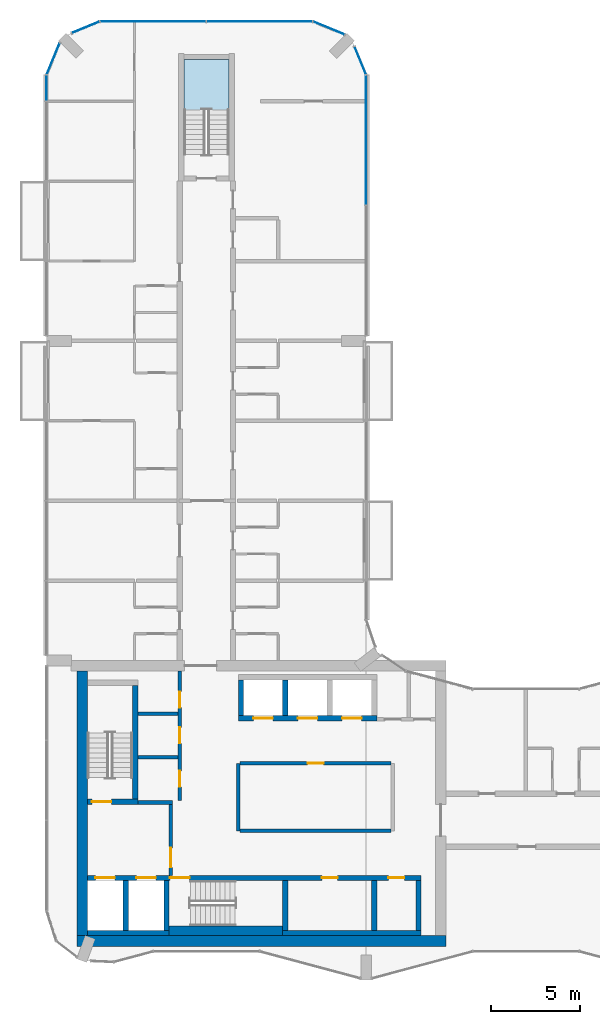
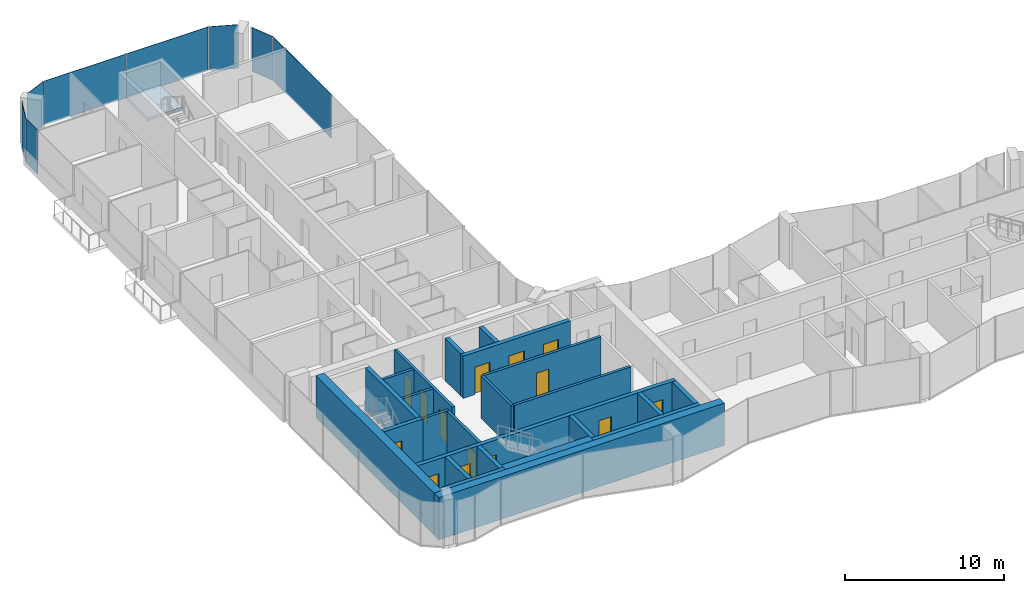
# One storey, part 9 of 15: 24 walls, 14 doors, 8 plates, 1 slab, 14 openings, 8 elements without a shape of their own.
"""IFC4 building model written with IfcOpenShell, lengths in metres."""

from ifc_helpers import new_model, si_unit, direction, frame, frame_2d, origin, origin_2d, place, context, subcontext, project, spatial, polyline, rectangle, outline, extrude, material, layer, layer_set, type_object, element, fill, aggregate, save


model = new_model("IFC4")

# Units and contexts
model_context = context("Model", 3, precision=1e-05, world=origin(), true_north=direction((0.0, 1.0)))
body_context = subcontext(model_context, "Body", "Model", "MODEL_VIEW")
ifc_project = project(units=[si_unit("LENGTHUNIT", "METRE"), si_unit("AREAUNIT", "SQUARE_METRE"), si_unit("VOLUMEUNIT", "CUBIC_METRE"), si_unit("PLANEANGLEUNIT", "RADIAN"), si_unit("MASSUNIT", "GRAM", prefix="KILO")], contexts=[model_context])

# Site, building, storey
site_placement = place(None, origin())
site = spatial("IfcSite", under=ifc_project, at=site_placement, CompositionType="ELEMENT")
building_placement = place(site_placement, origin())
building = spatial("IfcBuilding", under=site, at=building_placement, Name="Plateau Cross Towers", CompositionType="ELEMENT")
storey_placement = place(building_placement, frame((0.0, 0.0, 174.39990234375)))
storey = spatial("IfcBuildingStorey", under=building, at=storey_placement, Name="L45", CompositionType="ELEMENT", Elevation=174.39990234375)

# Curtain wall, plate
ifc_material_1 = material(Name="Dark low-iron glass", Category="glass")
ifc_layer_1 = layer(ifc_material_1, 0.239990234375)
ifc_layer_set_1 = layer_set([ifc_layer_1], Name="Dark low-iron glass")
curtain_wall_type = type_object("IfcCurtainWallType", Name="Curtain wall flush unitised CW-B", PredefinedType="NOTDEFINED", material=ifc_layer_set_1)
curtain_wall_1_placement = place(storey_placement, origin())
curtain_wall_1 = element("IfcCurtainWall", 1, at=curtain_wall_1_placement, inside=storey, type_object=curtain_wall_type, Name="ENV/A/L45/A180_363", PredefinedType="NOTDEFINED")
ifc_layer_2 = layer(ifc_material_1, 0.031982421875)
ifc_layer_set_2 = layer_set([ifc_layer_2], Name="Dark low-iron glass")
plate_type = type_object("IfcPlateType", Name="Glass panel 32 flush unitised", PredefinedType="CURTAIN_PANEL", material=ifc_layer_set_2)
plate_1_placement = place(storey_placement, frame((18.0, 47.324951171875, -0.1298828125), z_axis=(0.0, 0.0, 1.0), x_axis=(0.0, 1.0, 0.0)))
plate_1 = element("IfcPlate", 2, at=plate_1_placement, type_object=plate_type, Name="CW-B panel 2", PredefinedType="CURTAIN_PANEL", context=body_context, shape_type="SweptSolid", body=[
    extrude(rectangle(XDim=7.2900390625, YDim=0.031982421875, at=origin_2d()), origin(), (0.0, 0.0, 1.0), 3.3798828125),
])
aggregate(curtain_wall_1, [plate_1])

curtain_wall_2_placement = place(storey_placement, origin())
curtain_wall_2 = element("IfcCurtainWall", 3, at=curtain_wall_2_placement, inside=storey, type_object=curtain_wall_type, Name="ENV/A/L45/A180_510", PredefinedType="NOTDEFINED")
plate_2_placement = place(storey_placement, frame((17.66943359375, 51.79833984375, -0.1298828125), z_axis=(0.0, 0.0, 1.0), x_axis=(-0.382683612978, 0.923879457699, 0.0)))
plate_2 = element("IfcPlate", 4, at=plate_2_placement, type_object=plate_type, Name="CW-B panel 1", PredefinedType="CURTAIN_PANEL", context=body_context, shape_type="SweptSolid", body=[
    extrude(rectangle(XDim=1.668212890625, YDim=0.031982421875, at=origin_2d()), origin(), (0.0, 0.0, 1.0), 3.3798828125),
])
aggregate(curtain_wall_2, [plate_2])

curtain_wall_3_placement = place(storey_placement, origin())
curtain_wall_3 = element("IfcCurtainWall", 5, at=curtain_wall_3_placement, inside=storey, type_object=curtain_wall_type, Name="ENV/A/L45/A168_533", PredefinedType="NOTDEFINED")
plate_3_placement = place(storey_placement, frame((15.90283203125, 53.6259765625, -0.1298828125), z_axis=(0.0, 0.0, 1.0), x_axis=(-0.923879457699, 0.382683612978, 0.0)))
plate_3 = element("IfcPlate", 6, at=plate_3_placement, type_object=plate_type, Name="CW-B panel 1", PredefinedType="CURTAIN_PANEL", context=body_context, shape_type="SweptSolid", body=[
    extrude(rectangle(XDim=1.894775390625, YDim=0.031982421875, at=origin_2d()), origin(), (0.0, 0.0, 1.0), 3.3798828125),
])
aggregate(curtain_wall_3, [plate_3])

# Curtain wall, plates
curtain_wall_4_placement = place(storey_placement, origin())
curtain_wall_4 = element("IfcCurtainWall", 7, at=curtain_wall_4_placement, inside=storey, type_object=curtain_wall_type, Name="ENV/A/L45/A150_540", PredefinedType="NOTDEFINED")
plate_4_placement = place(storey_placement, frame((12.0, 54.0, -0.1298828125), z_axis=(0.0, 0.0, 1.0), x_axis=(-1.0, 0.0, 0.0)))
plate_4 = element("IfcPlate", 8, at=plate_4_placement, type_object=plate_type, Name="CW-B panel 1", PredefinedType="CURTAIN_PANEL", context=body_context, shape_type="SweptSolid", body=[
    extrude(rectangle(XDim=5.93994140625, YDim=0.031982421875, at=origin_2d()), origin(), (0.0, 0.0, 1.0), 3.3798828125),
])
plate_5_placement = place(storey_placement, frame((6.0, 54.0, -0.1298828125), z_axis=(0.0, 0.0, 1.0), x_axis=(-1.0, 0.0, 0.0)))
plate_5 = element("IfcPlate", 9, at=plate_5_placement, type_object=plate_type, Name="CW-B panel 2", PredefinedType="CURTAIN_PANEL", context=body_context, shape_type="SweptSolid", body=[
    extrude(rectangle(XDim=5.93994140625, YDim=0.031982421875, at=origin_2d()), origin(), (0.0, 0.0, 1.0), 3.3798828125),
])
aggregate(curtain_wall_4, [plate_4, plate_5])

# Curtain wall, plate
curtain_wall_5_placement = place(storey_placement, origin())
curtain_wall_5 = element("IfcCurtainWall", 10, at=curtain_wall_5_placement, inside=storey, type_object=curtain_wall_type, Name="ENV/A/L45/A30_540", PredefinedType="NOTDEFINED")
plate_6_placement = place(storey_placement, frame((2.20166015625, 53.66943359375, -0.1298828125), z_axis=(0.0, 0.0, 1.0), x_axis=(-0.923879457699, -0.382683612978, 0.0)))
plate_6 = element("IfcPlate", 11, at=plate_6_placement, type_object=plate_type, Name="CW-B panel 1", PredefinedType="CURTAIN_PANEL", context=body_context, shape_type="SweptSolid", body=[
    extrude(rectangle(XDim=1.668212890625, YDim=0.031982421875, at=origin_2d()), origin(), (0.0, 0.0, 1.0), 3.3798828125),
])
aggregate(curtain_wall_5, [plate_6])

curtain_wall_6_placement = place(storey_placement, origin())
curtain_wall_6 = element("IfcCurtainWall", 12, at=curtain_wall_6_placement, inside=storey, type_object=curtain_wall_type, Name="ENV/A/L45/A7_528", PredefinedType="NOTDEFINED")
plate_7_placement = place(storey_placement, frame((0.3740234375, 51.90283203125, -0.1298828125), z_axis=(0.0, 0.0, 1.0), x_axis=(-0.382683612978, -0.923879457699, 0.0)))
plate_7 = element("IfcPlate", 13, at=plate_7_placement, type_object=plate_type, Name="CW-B panel 1", PredefinedType="CURTAIN_PANEL", context=body_context, shape_type="SweptSolid", body=[
    extrude(rectangle(XDim=1.894775390625, YDim=0.031982421875, at=origin_2d()), origin(), (0.0, 0.0, 1.0), 3.3798828125),
])
aggregate(curtain_wall_6, [plate_7])

curtain_wall_7_placement = place(storey_placement, origin())
curtain_wall_7 = element("IfcCurtainWall", 14, at=curtain_wall_7_placement, inside=storey, type_object=curtain_wall_type, Name="ENV/A/L45/A0_510", PredefinedType="NOTDEFINED")
plate_8_placement = place(storey_placement, frame((0.0, 50.25, -0.1298828125), z_axis=(0.0, 0.0, 1.0), x_axis=(0.0, -1.0, 0.0)))
plate_8 = element("IfcPlate", 15, at=plate_8_placement, type_object=plate_type, Name="CW-B panel 1", PredefinedType="CURTAIN_PANEL", context=body_context, shape_type="SweptSolid", body=[
    extrude(rectangle(XDim=1.43994140625, YDim=0.031982421875, at=origin_2d()), origin(), (0.0, 0.0, 1.0), 3.3798828125),
])
aggregate(curtain_wall_7, [plate_8])

# Stair, slab
ifc_material_2 = material(Name="Concrete C40/50", Category="concrete")
stair_type = type_object("IfcStairType", Name="ST-TWR", PredefinedType="HALF_TURN_STAIR", material=ifc_material_2)
stair_placement = place(storey_placement, origin())
stair = element("IfcStair", 16, at=stair_placement, inside=storey, type_object=stair_type, Name="L45 Protected Exit Stair N", PredefinedType="HALF_TURN_STAIR")
ifc_layer_3 = layer(ifc_material_2, 0.199951171875)
ifc_layer_set_3 = layer_set([ifc_layer_3], Name="Concrete C40/50")
slab_type = type_object("IfcSlabType", Name="SL-LANDING", PredefinedType="LANDING", material=ifc_layer_set_3)
slab_placement = place(storey_placement, frame((0.0, 0.0, 1.550048828125)))
slab = element("IfcSlab", 17, at=slab_placement, type_object=slab_type, Name="ES-N landing 1", PredefinedType="LANDING", context=body_context, shape_type="SweptSolid", body=[
    extrude(outline(polyline([(10.27490234375, 49.02001953125), (10.27490234375, 51.85009765625), (7.72509765625, 51.85009765625), (7.72509765625, 49.02001953125), (10.27490234375, 49.02001953125)])), origin(), (0.0, 0.0, 1.0), 0.199951171875),
])
aggregate(stair, [slab])

# Wall, opening, door
ifc_material_3 = material(Name="Concrete block, plastered both sides", Category="concrete")
ifc_layer_4 = layer(ifc_material_3, 0.199951171875)
ifc_layer_set_4 = layer_set([ifc_layer_4], Name="Concrete block, plastered both sides")
wall_type_1 = type_object("IfcWallType", Name="Core partition 200", PredefinedType="PARTITIONING", material=ifc_layer_set_4)
wall_1_placement = place(storey_placement, frame((7.0, 5.89990234375, 0.0), z_axis=(0.0, 0.0, 1.0), x_axis=(0.0, 1.0, 0.0)))
wall_1 = element("IfcWall", 18, at=wall_1_placement, inside=storey, type_object=wall_type_1, Name="Core partition", PredefinedType="PARTITIONING", context=body_context, shape_type="SweptSolid", body=[
    extrude(rectangle(XDim=4.0, YDim=0.199951171875, at=frame_2d((2.0, 0.0))), origin(), (0.0, 0.0, 1.0), 3.25),
])
opening_1_placement = place(wall_1_placement, frame((0.449951171875, 0.0, 0.0)))
opening_1 = element("IfcOpeningElement", 19, at=opening_1_placement, cuts=wall_1, Name="Opening FFD", PredefinedType="OPENING", context=body_context, shape_type="SweptSolid", body=[
    extrude(rectangle(XDim=1.10009765625, YDim=2.10009765625, at=frame_2d((0.550048828125, 1.050048828125))), frame((0.0, 0.10986328125, 0.0), z_axis=(0.0, -1.0, 0.0), x_axis=(1.0, 0.0, 0.0)), (0.0, 0.0, 1.0), 0.219970703125),
])
ifc_material_4 = material(Name="Steel, fire-resisting leaf", Category="steel")
door_type_1 = type_object("IfcDoorType", Name="Firefighting lobby door 1100", OperationType="NOTDEFINED", PredefinedType="DOOR", material=ifc_material_4)
door_1_placement = place(opening_1_placement, origin())
door_1 = element("IfcDoor", 20, at=door_1_placement, inside=storey, type_object=door_type_1, Name="Firefighting lobby door FFD", OperationType="SINGLE_SWING_LEFT", OverallHeight=2.10009765625, OverallWidth=1.10009765625, PredefinedType="DOOR", context=body_context, shape_type="SweptSolid", body=[
    extrude(rectangle(XDim=1.10009765625, YDim=2.10009765625, at=frame_2d((0.550048828125, 1.050048828125))), frame((0.0, 0.02490234375, 0.0), z_axis=(0.0, -1.0, 0.0), x_axis=(1.0, 0.0, 0.0)), (0.0, 0.0, 1.0), 0.050048828125),
])
fill(opening_1, door_1)

# Walls
wall_2_placement = place(storey_placement, frame((5.14990234375, 10.0, 0.0), z_axis=(0.0, 0.0, 1.0), x_axis=(1.0, 0.0, 0.0)))
element("IfcWall", 21, at=wall_2_placement, inside=storey, type_object=wall_type_1, Name="Core partition", PredefinedType="PARTITIONING", context=body_context, shape_type="SweptSolid", body=[
    extrude(rectangle(XDim=1.9501953125, YDim=0.199951171875, at=frame_2d((0.97509765625, 0.0))), origin(), (0.0, 0.0, 1.0), 3.25),
])
wall_3_placement = place(storey_placement, frame((10.800048828125, 8.39990234375, 0.0), z_axis=(0.0, 0.0, 1.0), x_axis=(0.0, 1.0, 0.0)))
element("IfcWall", 22, at=wall_3_placement, inside=storey, type_object=wall_type_1, Name="Core partition", PredefinedType="PARTITIONING", context=body_context, shape_type="SweptSolid", body=[
    extrude(rectangle(XDim=3.800048828125, YDim=0.199951171875, at=frame_2d((1.89990234375, 0.0))), origin(), (0.0, 0.0, 1.0), 3.25),
])
wall_4_placement = place(storey_placement, frame((10.89990234375, 8.39990234375, 0.0), z_axis=(0.0, 0.0, 1.0), x_axis=(1.0, 0.0, 0.0)))
element("IfcWall", 23, at=wall_4_placement, inside=storey, type_object=wall_type_1, Name="Core partition", PredefinedType="PARTITIONING", context=body_context, shape_type="SweptSolid", body=[
    extrude(rectangle(XDim=8.5, YDim=0.199951171875, at=frame_2d((4.25, 0.0))), origin(), (0.0, 0.0, 1.0), 3.25),
])

# Wall, opening, door
wall_5_placement = place(storey_placement, frame((10.89990234375, 12.199951171875, 0.0), z_axis=(0.0, 0.0, 1.0), x_axis=(1.0, 0.0, 0.0)))
wall_5 = element("IfcWall", 24, at=wall_5_placement, inside=storey, type_object=wall_type_1, Name="Core partition", PredefinedType="PARTITIONING", context=body_context, shape_type="SweptSolid", body=[
    extrude(rectangle(XDim=8.5, YDim=0.199951171875, at=frame_2d((4.25, 0.0))), origin(), (0.0, 0.0, 1.0), 3.25),
])
opening_2_placement = place(wall_5_placement, frame((3.800048828125, 0.0, 0.0)))
opening_2 = element("IfcOpeningElement", 25, at=opening_2_placement, cuts=wall_5, Name="Opening RD1", PredefinedType="OPENING", context=body_context, shape_type="SweptSolid", body=[
    extrude(rectangle(XDim=0.89990234375, YDim=2.10009765625, at=frame_2d((0.449951171875, 1.050048828125))), frame((0.0, 0.10986328125, 0.0), z_axis=(0.0, -1.0, 0.0), x_axis=(1.0, 0.0, 0.0)), (0.0, 0.0, 1.0), 0.219970703125),
])
ifc_material_5 = material(Name="Timber, fire-resisting leaf", Category="wood")
door_type_2 = type_object("IfcDoorType", Name="Core service door 900", OperationType="NOTDEFINED", PredefinedType="DOOR", material=ifc_material_5)
door_2_placement = place(opening_2_placement, origin())
door_2 = element("IfcDoor", 26, at=door_2_placement, inside=storey, type_object=door_type_2, Name="Core service door RD1", OperationType="SINGLE_SWING_LEFT", OverallHeight=2.10009765625, OverallWidth=0.89990234375, PredefinedType="DOOR", context=body_context, shape_type="SweptSolid", body=[
    extrude(rectangle(XDim=0.89990234375, YDim=2.10009765625, at=frame_2d((0.449951171875, 1.050048828125))), frame((0.0, 0.02490234375, 0.0), z_axis=(0.0, -1.0, 0.0), x_axis=(1.0, 0.0, 0.0)), (0.0, 0.0, 1.0), 0.050048828125),
])
fill(opening_2, door_2)

# Wall, openings, doors
wall_6_placement = place(storey_placement, frame((7.5, 10.10009765625, 0.0), z_axis=(0.0, 0.0, 1.0), x_axis=(0.0, 1.0, 0.0)))
wall_6 = element("IfcWall", 27, at=wall_6_placement, inside=storey, type_object=wall_type_1, Name="Core partition", PredefinedType="PARTITIONING", context=body_context, shape_type="SweptSolid", body=[
    extrude(rectangle(XDim=7.2998046875, YDim=0.199951171875, at=frame_2d((3.64990234375, 0.0))), origin(), (0.0, 0.0, 1.0), 3.25),
])
opening_3_placement = place(wall_6_placement, frame((0.77490234375, 0.0, 0.0)))
opening_3 = element("IfcOpeningElement", 28, at=opening_3_placement, cuts=wall_6, Name="Opening RD1", PredefinedType="OPENING", context=body_context, shape_type="SweptSolid", body=[
    extrude(rectangle(XDim=0.89990234375, YDim=2.10009765625, at=frame_2d((0.449951171875, 1.050048828125))), frame((0.0, 0.10986328125, 0.0), z_axis=(0.0, -1.0, 0.0), x_axis=(1.0, 0.0, 0.0)), (0.0, 0.0, 1.0), 0.219970703125),
])
opening_4_placement = place(wall_6_placement, frame((3.22509765625, 0.0, 0.0)))
opening_4 = element("IfcOpeningElement", 29, at=opening_4_placement, cuts=wall_6, Name="Opening RD1", PredefinedType="OPENING", context=body_context, shape_type="SweptSolid", body=[
    extrude(rectangle(XDim=0.89990234375, YDim=2.10009765625, at=frame_2d((0.449951171875, 1.050048828125))), frame((0.0, 0.10986328125, 0.0), z_axis=(0.0, -1.0, 0.0), x_axis=(1.0, 0.0, 0.0)), (0.0, 0.0, 1.0), 0.219970703125),
])
opening_5_placement = place(wall_6_placement, frame((5.25, 0.0, 0.0)))
opening_5 = element("IfcOpeningElement", 30, at=opening_5_placement, cuts=wall_6, Name="Opening RD1", PredefinedType="OPENING", context=body_context, shape_type="SweptSolid", body=[
    extrude(rectangle(XDim=0.89990234375, YDim=2.10009765625, at=frame_2d((0.449951171875, 1.050048828125))), frame((0.0, 0.10986328125, 0.0), z_axis=(0.0, -1.0, 0.0), x_axis=(1.0, 0.0, 0.0)), (0.0, 0.0, 1.0), 0.219970703125),
])
door_3_placement = place(opening_3_placement, origin())
door_3 = element("IfcDoor", 31, at=door_3_placement, inside=storey, type_object=door_type_2, Name="Core service door RD1", OperationType="SINGLE_SWING_RIGHT", OverallHeight=2.10009765625, OverallWidth=0.89990234375, PredefinedType="DOOR", context=body_context, shape_type="SweptSolid", body=[
    extrude(rectangle(XDim=0.89990234375, YDim=2.10009765625, at=frame_2d((0.449951171875, 1.050048828125))), frame((0.0, 0.02490234375, 0.0), z_axis=(0.0, -1.0, 0.0), x_axis=(1.0, 0.0, 0.0)), (0.0, 0.0, 1.0), 0.050048828125),
])
fill(opening_3, door_3)
door_4_placement = place(opening_4_placement, origin())
door_4 = element("IfcDoor", 32, at=door_4_placement, inside=storey, type_object=door_type_2, Name="Core service door RD1", OperationType="SINGLE_SWING_RIGHT", OverallHeight=2.10009765625, OverallWidth=0.89990234375, PredefinedType="DOOR", context=body_context, shape_type="SweptSolid", body=[
    extrude(rectangle(XDim=0.89990234375, YDim=2.10009765625, at=frame_2d((0.449951171875, 1.050048828125))), frame((0.0, 0.02490234375, 0.0), z_axis=(0.0, -1.0, 0.0), x_axis=(1.0, 0.0, 0.0)), (0.0, 0.0, 1.0), 0.050048828125),
])
fill(opening_4, door_4)
door_5_placement = place(opening_5_placement, origin())
door_5 = element("IfcDoor", 33, at=door_5_placement, inside=storey, type_object=door_type_2, Name="Core service door RD1", OperationType="SINGLE_SWING_RIGHT", OverallHeight=2.10009765625, OverallWidth=0.89990234375, PredefinedType="DOOR", context=body_context, shape_type="SweptSolid", body=[
    extrude(rectangle(XDim=0.89990234375, YDim=2.10009765625, at=frame_2d((0.449951171875, 1.050048828125))), frame((0.0, 0.02490234375, 0.0), z_axis=(0.0, -1.0, 0.0), x_axis=(1.0, 0.0, 0.0)), (0.0, 0.0, 1.0), 0.050048828125),
])
fill(opening_5, door_5)

# Walls
for number, where, z_axis, x_axis, name in (
    (34, (5.14990234375, 12.550048828125, 0.0), (0.0, 0.0, 1.0), (1.0, 0.0, 0.0), "Core partition"),
    (35, (5.14990234375, 15.0, 0.0), (0.0, 0.0, 1.0), (1.0, 0.0, 0.0), "Core partition"),
):
    element("IfcWall", number, at=place(storey_placement, frame(where, z_axis=z_axis, x_axis=x_axis)), inside=storey, type_object=wall_type_1, Name=name, PredefinedType="PARTITIONING", context=body_context, shape_type="SweptSolid", body=[
        extrude(rectangle(XDim=2.25, YDim=0.199951171875, at=frame_2d((1.125, 0.0))), origin(), (0.0, 0.0, 1.0), 3.25),
    ])
ifc_material_6 = material(Name="Concrete C60/75", Category="concrete")
ifc_layer_5 = layer(ifc_material_6, 0.300048828125)
ifc_layer_set_5 = layer_set([ifc_layer_5], Name="Concrete C60/75")
wall_type_2 = type_object("IfcWallType", Name="Core shaft wall 300", PredefinedType="SHEAR", material=ifc_layer_set_5)
wall_7_placement = place(storey_placement, frame((2.300048828125, 2.64990234375, 0.0), z_axis=(0.0, 0.0, 1.0), x_axis=(1.0, 0.0, 0.0)))
element("IfcWall", 36, at=wall_7_placement, inside=storey, type_object=wall_type_2, Name="A-sb-back1@L45", PredefinedType="SHEAR", context=body_context, shape_type="SweptSolid", body=[
    extrude(rectangle(XDim=4.599853515625, YDim=0.300048828125, at=frame_2d((2.2998046875, 0.0))), origin(), (0.0, 0.0, 1.0), 3.25),
])
wall_8_placement = place(storey_placement, frame((13.300048828125, 2.64990234375, 0.0), z_axis=(0.0, 0.0, 1.0), x_axis=(1.0, 0.0, 0.0)))
element("IfcWall", 37, at=wall_8_placement, inside=storey, type_object=wall_type_2, Name="A-sb-back3@L45", PredefinedType="SHEAR", context=body_context, shape_type="SweptSolid", body=[
    extrude(rectangle(XDim=7.800048828125, YDim=0.300048828125, at=frame_2d((3.89990234375, 0.0))), origin(), (0.0, 0.0, 1.0), 3.25),
])
for number, where, z_axis, x_axis, name in (
    (38, (4.449951171875, 2.800048828125, 0.0), (0.0, 0.0, 1.0), (0.0, 1.0, 0.0), "A-sb-v1@L45"),
    (39, (6.75, 2.800048828125, 0.0), (0.0, 0.0, 1.0), (0.0, 1.0, 0.0), "A-sb-v2@L45"),
    (40, (13.449951171875, 2.800048828125, 0.0), (0.0, 0.0, 1.0), (0.0, 1.0, 0.0), "A-sb-v3@L45"),
    (41, (18.449951171875, 2.800048828125, 0.0), (0.0, 0.0, 1.0), (0.0, 1.0, 0.0), "A-sb-v5@L45"),
    (42, (20.949951171875, 2.800048828125, 0.0), (0.0, 0.0, 1.0), (0.0, 1.0, 0.0), "A-sb-v6@L45"),
):
    element("IfcWall", number, at=place(storey_placement, frame(where, z_axis=z_axis, x_axis=x_axis)), inside=storey, type_object=wall_type_2, Name=name, PredefinedType="SHEAR", context=body_context, shape_type="SweptSolid", body=[
        extrude(rectangle(XDim=2.800048828125, YDim=0.300048828125, at=frame_2d((1.39990234375, 0.0))), origin(), (0.0, 0.0, 1.0), 3.25),
    ])

# Wall, openings, doors
wall_9_placement = place(storey_placement, frame((2.300048828125, 5.75, 0.0), z_axis=(0.0, 0.0, 1.0), x_axis=(1.0, 0.0, 0.0)))
wall_9 = element("IfcWall", 43, at=wall_9_placement, inside=storey, type_object=wall_type_2, Name="A-sb-front@L45", PredefinedType="SHEAR", context=body_context, shape_type="SweptSolid", body=[
    extrude(rectangle(XDim=18.800048828125, YDim=0.300048828125, at=frame_2d((9.39990234375, 0.0))), origin(), (0.0, 0.0, 1.0), 3.25),
])
opening_6_placement = place(wall_9_placement, frame((4.64990234375, 0.0, 0.0)))
opening_6 = element("IfcOpeningElement", 44, at=opening_6_placement, cuts=wall_9, Name="Opening SD", PredefinedType="OPENING", context=body_context, shape_type="SweptSolid", body=[
    extrude(rectangle(XDim=1.10009765625, YDim=2.10009765625, at=frame_2d((0.550048828125, 1.050048828125))), frame((0.0, 0.159912109375, 0.0), z_axis=(0.0, -1.0, 0.0), x_axis=(1.0, 0.0, 0.0)), (0.0, 0.0, 1.0), 0.320068359375),
])
opening_7_placement = place(wall_9_placement, frame((0.449951171875, 0.0, 0.0)))
opening_7 = element("IfcOpeningElement", 45, at=opening_7_placement, cuts=wall_9, Name="Opening LD", PredefinedType="OPENING", context=body_context, shape_type="SweptSolid", body=[
    extrude(rectangle(XDim=1.10009765625, YDim=2.10009765625, at=frame_2d((0.550048828125, 1.050048828125))), frame((0.0, 0.159912109375, 0.0), z_axis=(0.0, -1.0, 0.0), x_axis=(1.0, 0.0, 0.0)), (0.0, 0.0, 1.0), 0.320068359375),
])
opening_8_placement = place(wall_9_placement, frame((2.75, 0.0, 0.0)))
opening_8 = element("IfcOpeningElement", 46, at=opening_8_placement, cuts=wall_9, Name="Opening LD", PredefinedType="OPENING", context=body_context, shape_type="SweptSolid", body=[
    extrude(rectangle(XDim=1.10009765625, YDim=2.10009765625, at=frame_2d((0.550048828125, 1.050048828125))), frame((0.0, 0.159912109375, 0.0), z_axis=(0.0, -1.0, 0.0), x_axis=(1.0, 0.0, 0.0)), (0.0, 0.0, 1.0), 0.320068359375),
])
opening_9_placement = place(wall_9_placement, frame((13.199951171875, 0.0, 0.0)))
opening_9 = element("IfcOpeningElement", 47, at=opening_9_placement, cuts=wall_9, Name="Opening RD2", PredefinedType="OPENING", context=body_context, shape_type="SweptSolid", body=[
    extrude(rectangle(XDim=0.89990234375, YDim=2.10009765625, at=frame_2d((0.449951171875, 1.050048828125))), frame((0.0, 0.159912109375, 0.0), z_axis=(0.0, -1.0, 0.0), x_axis=(1.0, 0.0, 0.0)), (0.0, 0.0, 1.0), 0.320068359375),
])
opening_10_placement = place(wall_9_placement, frame((16.949951171875, 0.0, 0.0)))
opening_10 = element("IfcOpeningElement", 48, at=opening_10_placement, cuts=wall_9, Name="Opening RD2", PredefinedType="OPENING", context=body_context, shape_type="SweptSolid", body=[
    extrude(rectangle(XDim=0.89990234375, YDim=2.10009765625, at=frame_2d((0.449951171875, 1.050048828125))), frame((0.0, 0.159912109375, 0.0), z_axis=(0.0, -1.0, 0.0), x_axis=(1.0, 0.0, 0.0)), (0.0, 0.0, 1.0), 0.320068359375),
])
door_type_3 = type_object("IfcDoorType", Name="Core riser door 900", OperationType="NOTDEFINED", PredefinedType="DOOR", material=ifc_material_4)
door_6_placement = place(opening_9_placement, origin())
door_6 = element("IfcDoor", 49, at=door_6_placement, inside=storey, type_object=door_type_3, Name="Core riser door RD2", OperationType="SINGLE_SWING_LEFT", OverallHeight=2.10009765625, OverallWidth=0.89990234375, PredefinedType="DOOR", context=body_context, shape_type="SweptSolid", body=[
    extrude(rectangle(XDim=0.89990234375, YDim=2.10009765625, at=frame_2d((0.449951171875, 1.050048828125))), frame((0.0, 0.02490234375, 0.0), z_axis=(0.0, -1.0, 0.0), x_axis=(1.0, 0.0, 0.0)), (0.0, 0.0, 1.0), 0.050048828125),
])
fill(opening_9, door_6)
door_7_placement = place(opening_10_placement, origin())
door_7 = element("IfcDoor", 50, at=door_7_placement, inside=storey, type_object=door_type_3, Name="Core riser door RD2", OperationType="SINGLE_SWING_LEFT", OverallHeight=2.10009765625, OverallWidth=0.89990234375, PredefinedType="DOOR", context=body_context, shape_type="SweptSolid", body=[
    extrude(rectangle(XDim=0.89990234375, YDim=2.10009765625, at=frame_2d((0.449951171875, 1.050048828125))), frame((0.0, 0.02490234375, 0.0), z_axis=(0.0, -1.0, 0.0), x_axis=(1.0, 0.0, 0.0)), (0.0, 0.0, 1.0), 0.050048828125),
])
fill(opening_10, door_7)
ifc_material_7 = material(Name="Stainless steel, fire-resisting sliding leaves", Category="steel")
door_type_4 = type_object("IfcDoorType", Name="Lift landing door 1100", OperationType="NOTDEFINED", PredefinedType="DOOR", material=ifc_material_7)
door_8_placement = place(opening_7_placement, origin())
door_8 = element("IfcDoor", 51, at=door_8_placement, inside=storey, type_object=door_type_4, Name="Lift landing door LD", OperationType="DOUBLE_DOOR_SLIDING", OverallHeight=2.10009765625, OverallWidth=1.10009765625, PredefinedType="DOOR", context=body_context, shape_type="SweptSolid", body=[
    extrude(rectangle(XDim=1.10009765625, YDim=2.10009765625, at=frame_2d((0.550048828125, 1.050048828125))), frame((0.0, 0.02490234375, 0.0), z_axis=(0.0, -1.0, 0.0), x_axis=(1.0, 0.0, 0.0)), (0.0, 0.0, 1.0), 0.050048828125),
])
fill(opening_7, door_8)
door_9_placement = place(opening_8_placement, origin())
door_9 = element("IfcDoor", 52, at=door_9_placement, inside=storey, type_object=door_type_4, Name="Lift landing door LD", OperationType="DOUBLE_DOOR_SLIDING", OverallHeight=2.10009765625, OverallWidth=1.10009765625, PredefinedType="DOOR", context=body_context, shape_type="SweptSolid", body=[
    extrude(rectangle(XDim=1.10009765625, YDim=2.10009765625, at=frame_2d((0.550048828125, 1.050048828125))), frame((0.0, 0.02490234375, 0.0), z_axis=(0.0, -1.0, 0.0), x_axis=(1.0, 0.0, 0.0)), (0.0, 0.0, 1.0), 0.050048828125),
])
fill(opening_8, door_9)
door_type_5 = type_object("IfcDoorType", Name="Stair door 1100", OperationType="NOTDEFINED", PredefinedType="DOOR", material=ifc_material_4)
door_10_placement = place(opening_6_placement, origin())
door_10 = element("IfcDoor", 53, at=door_10_placement, inside=storey, type_object=door_type_5, Name="Stair door SD", OperationType="SINGLE_SWING_LEFT", OverallHeight=2.10009765625, OverallWidth=1.10009765625, PredefinedType="DOOR", context=body_context, shape_type="SweptSolid", body=[
    extrude(rectangle(XDim=1.10009765625, YDim=2.10009765625, at=frame_2d((0.550048828125, 1.050048828125))), frame((0.0, 0.02490234375, 0.0), z_axis=(0.0, -1.0, 0.0), x_axis=(1.0, 0.0, 0.0)), (0.0, 0.0, 1.0), 0.050048828125),
])
fill(opening_6, door_10)

# Wall, opening, door
wall_10_placement = place(storey_placement, frame((2.300048828125, 10.050048828125, 0.0), z_axis=(0.0, 0.0, 1.0), x_axis=(1.0, 0.0, 0.0)))
wall_10 = element("IfcWall", 54, at=wall_10_placement, inside=storey, type_object=wall_type_2, Name="A-st1-S@L45", PredefinedType="SHEAR", context=body_context, shape_type="SweptSolid", body=[
    extrude(rectangle(XDim=2.849853515625, YDim=0.300048828125, at=frame_2d((1.4248046875, 0.0))), origin(), (0.0, 0.0, 1.0), 3.25),
])
opening_11_placement = place(wall_10_placement, frame((0.25, 0.0, 0.0)))
opening_11 = element("IfcOpeningElement", 55, at=opening_11_placement, cuts=wall_10, Name="Opening SD", PredefinedType="OPENING", context=body_context, shape_type="SweptSolid", body=[
    extrude(rectangle(XDim=1.10009765625, YDim=2.10009765625, at=frame_2d((0.550048828125, 1.050048828125))), frame((0.0, 0.159912109375, 0.0), z_axis=(0.0, -1.0, 0.0), x_axis=(1.0, 0.0, 0.0)), (0.0, 0.0, 1.0), 0.320068359375),
])
door_11_placement = place(opening_11_placement, origin())
door_11 = element("IfcDoor", 56, at=door_11_placement, inside=storey, type_object=door_type_5, Name="Stair door SD", OperationType="SINGLE_SWING_RIGHT", OverallHeight=2.10009765625, OverallWidth=1.10009765625, PredefinedType="DOOR", context=body_context, shape_type="SweptSolid", body=[
    extrude(rectangle(XDim=1.10009765625, YDim=2.10009765625, at=frame_2d((0.550048828125, 1.050048828125))), frame((0.0, 0.02490234375, 0.0), z_axis=(0.0, -1.0, 0.0), x_axis=(1.0, 0.0, 0.0)), (0.0, 0.0, 1.0), 0.050048828125),
])
fill(opening_11, door_11)

# Wall
wall_11_placement = place(storey_placement, frame((5.0, 10.199951171875, 0.0), z_axis=(0.0, 0.0, 1.0), x_axis=(0.0, 1.0, 0.0)))
element("IfcWall", 57, at=wall_11_placement, inside=storey, type_object=wall_type_2, Name="A-st1-E@L45", PredefinedType="SHEAR", context=body_context, shape_type="SweptSolid", body=[
    extrude(rectangle(XDim=6.400146484375, YDim=0.300048828125, at=frame_2d((3.2001953125, 0.0))), origin(), (0.0, 0.0, 1.0), 3.25),
])

# Wall, openings, doors
wall_12_placement = place(storey_placement, frame((10.800048828125, 14.75, 0.0), z_axis=(0.0, 0.0, 1.0), x_axis=(1.0, 0.0, 0.0)))
wall_12 = element("IfcWall", 58, at=wall_12_placement, inside=storey, type_object=wall_type_2, Name="A-nb-front@L45", PredefinedType="SHEAR", context=body_context, shape_type="SweptSolid", body=[
    extrude(rectangle(XDim=7.800048828125, YDim=0.300048828125, at=frame_2d((3.89990234375, 0.0))), origin(), (0.0, 0.0, 1.0), 3.25),
])
opening_12_placement = place(wall_12_placement, frame((0.85009765625, 0.0, 0.0)))
opening_12 = element("IfcOpeningElement", 59, at=opening_12_placement, cuts=wall_12, Name="Opening LD", PredefinedType="OPENING", context=body_context, shape_type="SweptSolid", body=[
    extrude(rectangle(XDim=1.10009765625, YDim=2.10009765625, at=frame_2d((0.550048828125, 1.050048828125))), frame((0.0, 0.159912109375, 0.0), z_axis=(0.0, -1.0, 0.0), x_axis=(1.0, 0.0, 0.0)), (0.0, 0.0, 1.0), 0.320068359375),
])
opening_13_placement = place(wall_12_placement, frame((3.35009765625, 0.0, 0.0)))
opening_13 = element("IfcOpeningElement", 60, at=opening_13_placement, cuts=wall_12, Name="Opening LD", PredefinedType="OPENING", context=body_context, shape_type="SweptSolid", body=[
    extrude(rectangle(XDim=1.10009765625, YDim=2.10009765625, at=frame_2d((0.550048828125, 1.050048828125))), frame((0.0, 0.159912109375, 0.0), z_axis=(0.0, -1.0, 0.0), x_axis=(1.0, 0.0, 0.0)), (0.0, 0.0, 1.0), 0.320068359375),
])
opening_14_placement = place(wall_12_placement, frame((5.85009765625, 0.0, 0.0)))
opening_14 = element("IfcOpeningElement", 61, at=opening_14_placement, cuts=wall_12, Name="Opening LD", PredefinedType="OPENING", context=body_context, shape_type="SweptSolid", body=[
    extrude(rectangle(XDim=1.10009765625, YDim=2.10009765625, at=frame_2d((0.550048828125, 1.050048828125))), frame((0.0, 0.159912109375, 0.0), z_axis=(0.0, -1.0, 0.0), x_axis=(1.0, 0.0, 0.0)), (0.0, 0.0, 1.0), 0.320068359375),
])
door_12_placement = place(opening_12_placement, origin())
door_12 = element("IfcDoor", 62, at=door_12_placement, inside=storey, type_object=door_type_4, Name="Lift landing door LD", OperationType="DOUBLE_DOOR_SLIDING", OverallHeight=2.10009765625, OverallWidth=1.10009765625, PredefinedType="DOOR", context=body_context, shape_type="SweptSolid", body=[
    extrude(rectangle(XDim=1.10009765625, YDim=2.10009765625, at=frame_2d((0.550048828125, 1.050048828125))), frame((0.0, 0.02490234375, 0.0), z_axis=(0.0, -1.0, 0.0), x_axis=(1.0, 0.0, 0.0)), (0.0, 0.0, 1.0), 0.050048828125),
])
fill(opening_12, door_12)
door_13_placement = place(opening_13_placement, origin())
door_13 = element("IfcDoor", 63, at=door_13_placement, inside=storey, type_object=door_type_4, Name="Lift landing door LD", OperationType="DOUBLE_DOOR_SLIDING", OverallHeight=2.10009765625, OverallWidth=1.10009765625, PredefinedType="DOOR", context=body_context, shape_type="SweptSolid", body=[
    extrude(rectangle(XDim=1.10009765625, YDim=2.10009765625, at=frame_2d((0.550048828125, 1.050048828125))), frame((0.0, 0.02490234375, 0.0), z_axis=(0.0, -1.0, 0.0), x_axis=(1.0, 0.0, 0.0)), (0.0, 0.0, 1.0), 0.050048828125),
])
fill(opening_13, door_13)
door_14_placement = place(opening_14_placement, origin())
door_14 = element("IfcDoor", 64, at=door_14_placement, inside=storey, type_object=door_type_4, Name="Lift landing door LD", OperationType="DOUBLE_DOOR_SLIDING", OverallHeight=2.10009765625, OverallWidth=1.10009765625, PredefinedType="DOOR", context=body_context, shape_type="SweptSolid", body=[
    extrude(rectangle(XDim=1.10009765625, YDim=2.10009765625, at=frame_2d((0.550048828125, 1.050048828125))), frame((0.0, 0.02490234375, 0.0), z_axis=(0.0, -1.0, 0.0), x_axis=(1.0, 0.0, 0.0)), (0.0, 0.0, 1.0), 0.050048828125),
])
fill(opening_14, door_14)

# Walls
for number, where, z_axis, x_axis, name in (
    (65, (10.949951171875, 14.89990234375, 0.0), (0.0, 0.0, 1.0), (0.0, 1.0, 0.0), "A-nb-v1@L45"),
    (66, (13.449951171875, 14.89990234375, 0.0), (0.0, 0.0, 1.0), (0.0, 1.0, 0.0), "A-nb-v2@L45"),
):
    element("IfcWall", number, at=place(storey_placement, frame(where, z_axis=z_axis, x_axis=x_axis)), inside=storey, type_object=wall_type_2, Name=name, PredefinedType="SHEAR", context=body_context, shape_type="SweptSolid", body=[
        extrude(rectangle(XDim=2.0, YDim=0.300048828125, at=frame_2d((1.0, 0.0))), origin(), (0.0, 0.0, 1.0), 3.25),
    ])
ifc_layer_6 = layer(ifc_material_6, 0.550048828125)
ifc_layer_set_6 = layer_set([ifc_layer_6], Name="Concrete C60/75")
wall_type_3 = type_object("IfcWallType", Name="Core shaft wall 550", PredefinedType="SHEAR", material=ifc_layer_set_6)
wall_13_placement = place(storey_placement, frame((6.89990234375, 2.77490234375, 0.0), z_axis=(0.0, 0.0, 1.0), x_axis=(1.0, 0.0, 0.0)))
element("IfcWall", 67, at=wall_13_placement, inside=storey, type_object=wall_type_3, Name="A-sb-back2@L45", PredefinedType="SHEAR", context=body_context, shape_type="SweptSolid", body=[
    extrude(rectangle(XDim=6.400146484375, YDim=0.550048828125, at=frame_2d((3.2001953125, 0.0))), origin(), (0.0, 0.0, 1.0), 3.25),
])
ifc_layer_7 = layer(ifc_material_6, 0.60009765625)
ifc_layer_set_7 = layer_set([ifc_layer_7], Name="Concrete C60/75")
wall_type_4 = type_object("IfcWallType", Name="Core shell wall 600", PredefinedType="SHEAR", material=ifc_layer_set_7)
wall_14_placement = place(storey_placement, frame((1.699951171875, 2.199951171875, 0.0), z_axis=(0.0, 0.0, 1.0), x_axis=(1.0, 0.0, 0.0)))
element("IfcWall", 68, at=wall_14_placement, inside=storey, type_object=wall_type_4, Name="A-core-S@L45", PredefinedType="SHEAR", context=body_context, shape_type="SweptSolid", body=[
    extrude(rectangle(XDim=20.800048828125, YDim=0.60009765625, at=frame_2d((10.39990234375, 0.0))), origin(), (0.0, 0.0, 1.0), 3.25),
])
wall_15_placement = place(storey_placement, frame((2.0, 2.5, 0.0), z_axis=(0.0, 0.0, 1.0), x_axis=(0.0, 1.0, 0.0)))
element("IfcWall", 69, at=wall_15_placement, inside=storey, type_object=wall_type_4, Name="A-core-W@L45", PredefinedType="SHEAR", context=body_context, shape_type="SweptSolid", body=[
    extrude(rectangle(XDim=14.89990234375, YDim=0.60009765625, at=frame_2d((7.449951171875, 0.0))), origin(), (0.0, 0.0, 1.0), 3.25),
])

save(model, "model.ifc")
